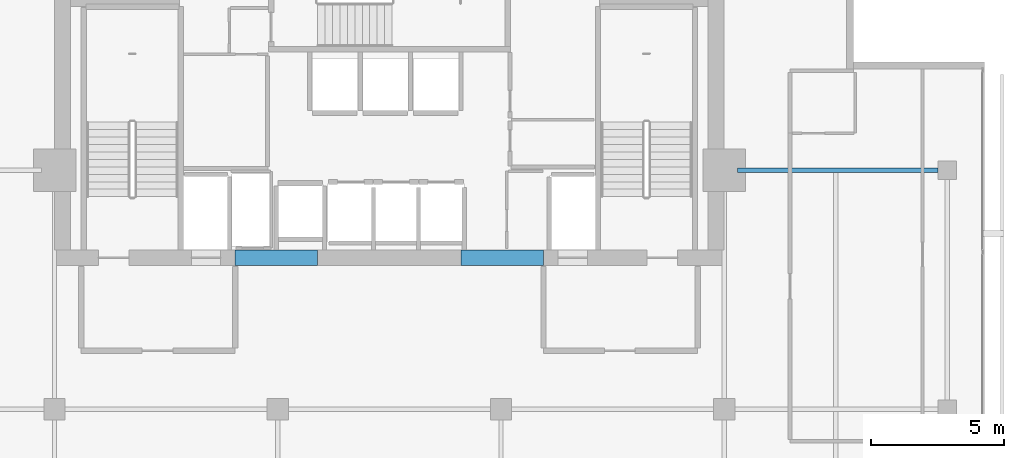
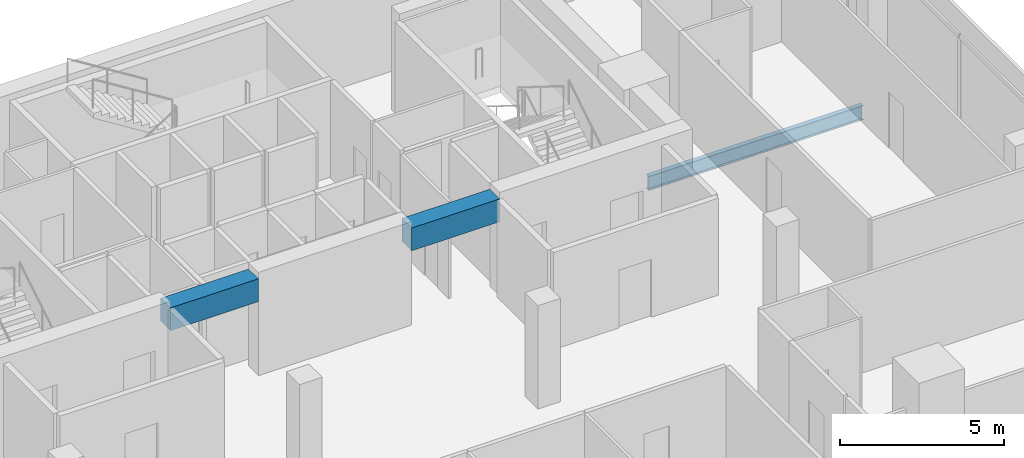
# One storey, part 17 of 25: 3 beams.
"""IFC4 building model written with IfcOpenShell, lengths in metres."""

from ifc_helpers import new_model, si_unit, direction, frame, origin, origin_2d, place, context, subcontext, project, spatial, rectangle, i_section, extrude, material, material_profile, profile_set, type_object, element, save


model = new_model("IFC4")

# Units and contexts
model_context = context("Model", 3, precision=1e-05, world=origin(), true_north=direction((0.0, 1.0)))
body_context = subcontext(model_context, "Body", "Model", "MODEL_VIEW")
ifc_project = project(units=[si_unit("LENGTHUNIT", "METRE"), si_unit("AREAUNIT", "SQUARE_METRE"), si_unit("VOLUMEUNIT", "CUBIC_METRE"), si_unit("PLANEANGLEUNIT", "RADIAN"), si_unit("MASSUNIT", "GRAM", prefix="KILO")], contexts=[model_context])

# Site, building, storey
site_placement = place(None, origin())
site = spatial("IfcSite", under=ifc_project, at=site_placement, CompositionType="ELEMENT")
building_placement = place(site_placement, origin())
building = spatial("IfcBuilding", under=site, at=building_placement, Name="Maruvema Waterfront Hotel and Observation Tower", CompositionType="ELEMENT")
storey_placement = place(building_placement, frame((0.0, 0.0, 308.699951171875)))
storey = spatial("IfcBuildingStorey", under=building, at=storey_placement, Name="L76", CompositionType="ELEMENT", Elevation=308.699951171875)

# Beams
ifc_material_1 = material(Name="Concrete C60/75", Category="concrete")
ifc_material_profile_1 = material_profile(ifc_material_1, rectangle(XDim=0.60009765625, YDim=0.85009765625, at=origin_2d()), Name="CB600x850")
ifc_profile_set_1 = profile_set([ifc_material_profile_1], Name="Concrete C60/75")
beam_type_1 = type_object("IfcBeamType", Name="Core Coupling Lintel Beam CB600x850", PredefinedType="LINTEL", material=ifc_profile_set_1)
for number, where, z_axis, x_axis, name in (
    (1, (32.0, 41.699951171875, 3.18505859375), (1.0, 0.0, 0.0), (0.0, 1.0, 0.0), "L76 Core Coupling Lintel Beam West"),
    (2, (40.5, 41.699951171875, 3.18505859375), (1.0, 0.0, 0.0), (0.0, 1.0, 0.0), "L76 Core Coupling Lintel Beam East"),
):
    element("IfcBeam", number, at=place(storey_placement, frame(where, z_axis=z_axis, x_axis=x_axis)), inside=storey, type_object=beam_type_1, Name=name, PredefinedType="LINTEL", context=body_context, shape_type="SweptSolid", body=[
        extrude(rectangle(XDim=0.60009765625, YDim=0.85009765625, at=origin_2d()), origin(), (0.0, 0.0, 1.0), 3.10009765625),
    ])
ifc_material_2 = material(Name="Steel ASTM A572 Grade 50", Category="steel")
ifc_material_profile_2 = material_profile(ifc_material_2, i_section(OverallWidth=0.166015625, OverallDepth=0.529052734375, WebThickness=0.009765625, FlangeThickness=0.013671875, FilletRadius=0.014892578125, at=origin_2d()), Name="W530x74.0")
ifc_profile_set_2 = profile_set([ifc_material_profile_2], Name="Steel ASTM A572 Grade 50")
beam_type_2 = type_object("IfcBeamType", Name="Primary Floor Girder W530x74.0", PredefinedType="BEAM", material=ifc_profile_set_2)
beam_placement = place(storey_placement, frame((50.89990234375, 45.0, -0.50439453125), z_axis=(1.0, 0.0, 0.0), x_axis=(0.0, 1.0, 0.0)))
element("IfcBeam", 3, at=beam_placement, inside=storey, type_object=beam_type_2, Name="L76 Floor Girder EW-18", PredefinedType="BEAM", context=body_context, shape_type="SweptSolid", body=[
    extrude(i_section(OverallWidth=0.166015625, OverallDepth=0.529052734375, WebThickness=0.009765625, FlangeThickness=0.013671875, FilletRadius=0.014892578125, at=origin_2d()), origin(), (0.0, 0.0, 1.0), 7.550048828125),
])

save(model, "model.ifc")
